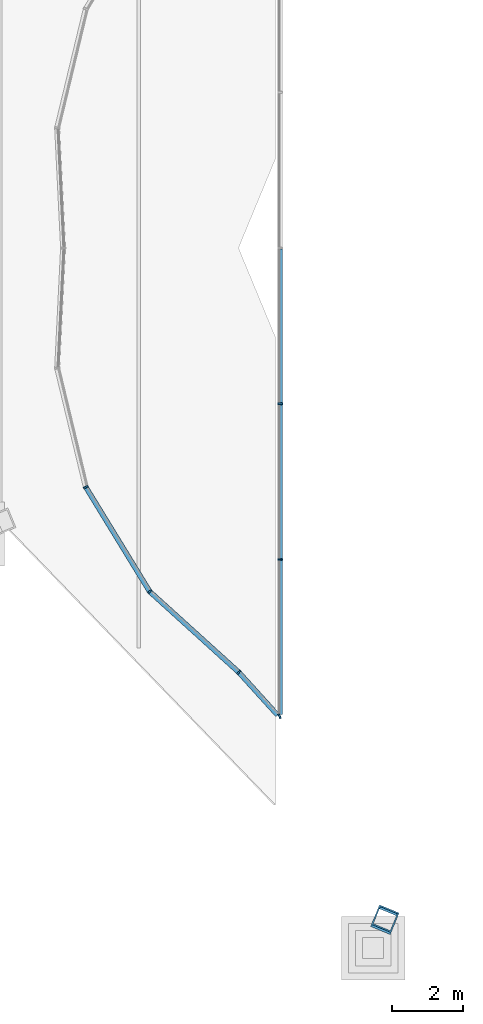
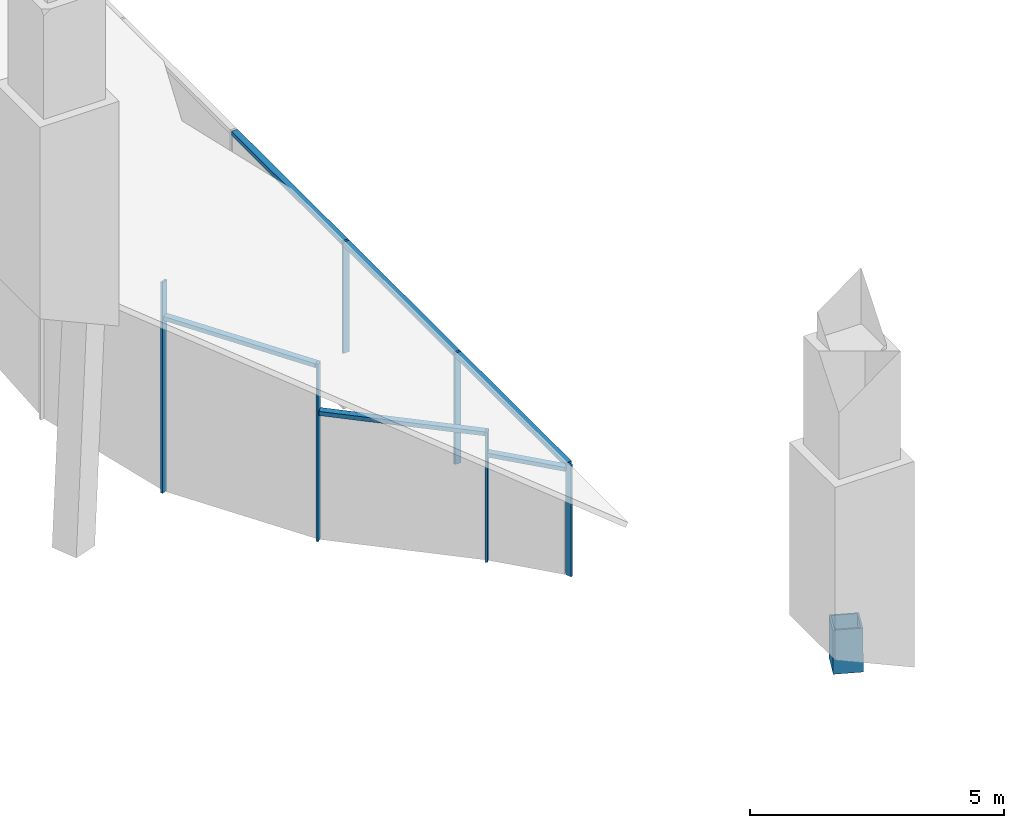
# One storey, part 5 of 8: 13 members, 3 elements without a shape of their own.
"""IFC4 building model written with IfcOpenShell, lengths in metres."""

from ifc_helpers import new_model, si_unit, direction, frame, origin, origin_2d, place, context, subcontext, project, spatial, rectangle, hollow_rectangle, extrude, material, material_profile, profile_set, type_object, element, aggregate, save


model = new_model("IFC4")

# Units and contexts
model_context = context("Model", 3, precision=1e-05, world=origin(), true_north=direction((0.0, 1.0)))
body_context = subcontext(model_context, "Body", "Model", "MODEL_VIEW")
ifc_project = project(units=[si_unit("LENGTHUNIT", "METRE"), si_unit("AREAUNIT", "SQUARE_METRE"), si_unit("VOLUMEUNIT", "CUBIC_METRE"), si_unit("PLANEANGLEUNIT", "RADIAN"), si_unit("MASSUNIT", "GRAM", prefix="KILO")], contexts=[model_context])

# Site, building, storey
site_placement = place(None, origin())
site = spatial("IfcSite", under=ifc_project, at=site_placement, CompositionType="ELEMENT")
building_placement = place(site_placement, origin())
building = spatial("IfcBuilding", under=site, at=building_placement, Name="Ogive Gate Towers", CompositionType="ELEMENT")
storey_placement = place(building_placement, frame((0.0, 0.0, 314.0)))
storey = spatial("IfcBuildingStorey", under=building, at=storey_placement, Name="L74", CompositionType="ELEMENT", Elevation=314.0)

# Curtain wall, members
ifc_material_1 = material(Name="Pale metal aluminium", Category="aluminium")
curtain_wall_type = type_object("IfcCurtainWallType", Name="Crown lean wall", PredefinedType="NOTDEFINED", material=ifc_material_1)
curtain_wall_1_placement = place(storey_placement, origin())
curtain_wall_1 = element("IfcCurtainWall", 1, at=curtain_wall_1_placement, inside=storey, type_object=curtain_wall_type, Name="CW5 T2 ECW03", PredefinedType="NOTDEFINED")
ifc_material_profile_1 = material_profile(ifc_material_1, rectangle(XDim=0.139892578125, YDim=0.050048828125, at=origin_2d()), Name="50 x 140 aluminium box")
ifc_profile_set_1 = profile_set([ifc_material_profile_1], Name="Pale metal aluminium")
member_type_1 = type_object("IfcMemberType", Name="Crown lean wall mullion 50 x 140", PredefinedType="MULLION", material=ifc_profile_set_1)
member_1_placement = place(storey_placement, frame((24.008544921875, -11.99365234375, -0.300048828125), z_axis=(0.0, 0.0, 1.0), x_axis=(0.671345548397, 0.741144489724, 0.0)))
member_1 = element("IfcMember", 2, at=member_1_placement, type_object=member_type_1, Name="CW5 mullion", PredefinedType="MULLION", context=body_context, shape_type="SweptSolid", body=[
    extrude(rectangle(XDim=0.139892578125, YDim=0.050048828125, at=origin_2d()), origin(), (0.0, 0.0, 1.0), 3.1357421875),
])
member_2_placement = place(storey_placement, frame((21.48974609375, -9.711669921875, -0.300048828125), z_axis=(0.0, 0.0, 1.0), x_axis=(0.770034644494, 0.638002073884, 0.0)))
member_2 = element("IfcMember", 3, at=member_2_placement, type_object=member_type_1, Name="CW5 mullion", PredefinedType="MULLION", context=body_context, shape_type="SweptSolid", body=[
    extrude(rectangle(XDim=0.139892578125, YDim=0.050048828125, at=origin_2d()), origin(), (0.0, 0.0, 1.0), 4.26123046875),
])
member_3_placement = place(storey_placement, frame((19.68310546875, -6.7587890625, -0.300048828125), z_axis=(0.0, 0.0, 1.0), x_axis=(0.923879532511, 0.382683432365, 0.0)))
member_3 = element("IfcMember", 4, at=member_3_placement, type_object=member_type_1, Name="CW5 mullion", PredefinedType="MULLION", context=body_context, shape_type="SweptSolid", body=[
    extrude(rectangle(XDim=0.139892578125, YDim=0.050048828125, at=origin_2d()), origin(), (0.0, 0.0, 1.0), 5.067138671875),
])

curtain_wall_2_placement = place(storey_placement, origin())
curtain_wall_2 = element("IfcCurtainWall", 5, at=curtain_wall_2_placement, inside=storey, type_object=curtain_wall_type, Name="CW5 T2 ECW03b", PredefinedType="NOTDEFINED")
member_4_placement = place(storey_placement, frame((25.177001953125, -4.402099609375, -0.300048828125), z_axis=(0.0, 0.0, 1.0), x_axis=(-1.0, 0.0, 0.0)))
member_4 = element("IfcMember", 6, at=member_4_placement, type_object=member_type_1, Name="CW5 mullion", PredefinedType="MULLION", context=body_context, shape_type="SweptSolid", body=[
    extrude(rectangle(XDim=0.139892578125, YDim=0.050048828125, at=origin_2d()), origin(), (0.0, 0.0, 1.0), 2.679931640625),
])
member_5_placement = place(storey_placement, frame((25.177001953125, -8.80419921875, -0.300048828125), z_axis=(0.0, 0.0, 1.0), x_axis=(-1.0, 0.0, 0.0)))
member_5 = element("IfcMember", 7, at=member_5_placement, type_object=member_type_1, Name="CW5 mullion", PredefinedType="MULLION", context=body_context, shape_type="SweptSolid", body=[
    extrude(rectangle(XDim=0.139892578125, YDim=0.050048828125, at=origin_2d()), origin(), (0.0, 0.0, 1.0), 2.679931640625),
])

# Curtain wall, member
curtain_wall_3_placement = place(storey_placement, origin())
curtain_wall_3 = element("IfcCurtainWall", 8, at=curtain_wall_3_placement, inside=storey, type_object=curtain_wall_type, Name="CW5 T2 ECW04", PredefinedType="NOTDEFINED")
member_6_placement = place(storey_placement, frame((25.157958984375, -13.234130859375, -0.300048828125), z_axis=(0.0, 0.0, 1.0), x_axis=(-0.359785118413, 0.933035191495, 0.0)))
member_6 = element("IfcMember", 9, at=member_6_placement, type_object=member_type_1, Name="CW5 mullion", PredefinedType="MULLION", context=body_context, shape_type="SweptSolid", body=[
    extrude(rectangle(XDim=0.139892578125, YDim=0.050048828125, at=origin_2d()), origin(), (0.0, 0.0, 1.0), 2.679931640625),
])

# Member
ifc_material_profile_2 = material_profile(ifc_material_1, rectangle(XDim=0.139892578125, YDim=0.10009765625, at=origin_2d()), Name="100 x 140 aluminium box")
ifc_profile_set_2 = profile_set([ifc_material_profile_2], Name="Pale metal aluminium")
member_type_2 = type_object("IfcMemberType", Name="Crown lean wall transom 100 x 140", PredefinedType="USERDEFINED", material=ifc_profile_set_2)
member_7_placement = place(storey_placement, frame((23.989990234375, -11.976806640625, 2.78564453125), z_axis=(-0.741137897422, 0.67135282602, 0.0), x_axis=(-0.67135282602, -0.741137897422, 0.0)))
member_7 = element("IfcMember", 10, at=member_7_placement, type_object=member_type_2, Name="CW5 transom", ObjectType="TRANSOM", PredefinedType="USERDEFINED", context=body_context, shape_type="SweptSolid", body=[
    extrude(rectangle(XDim=0.139892578125, YDim=0.10009765625, at=origin_2d()), origin(), (0.0, 0.0, 1.0), 3.344482421875),
])

member_8_placement = place(storey_placement, frame((21.47412109375, -9.686767578125, 3.9111328125), z_axis=(-0.521841760864, 0.853042306464, 0.0), x_axis=(-0.853042306464, -0.521841760864, 0.0)))
member_8 = element("IfcMember", 11, at=member_8_placement, type_object=member_type_2, Name="CW5 transom", ObjectType="TRANSOM", PredefinedType="USERDEFINED", context=body_context, shape_type="SweptSolid", body=[
    extrude(rectangle(XDim=0.139892578125, YDim=0.10009765625, at=origin_2d()), origin(), (0.0, 0.0, 1.0), 3.402587890625),
])

aggregate(curtain_wall_1, [member_1, member_2, member_7, member_3, member_8])

member_9_placement = place(storey_placement, frame((25.177001953125, -0.02490234375, 2.330078125), z_axis=(0.0, -1.0, 0.0), x_axis=(1.0, 0.0, 0.0)))
member_9 = element("IfcMember", 12, at=member_9_placement, type_object=member_type_2, Name="CW5 transom", ObjectType="TRANSOM", PredefinedType="USERDEFINED", context=body_context, shape_type="SweptSolid", body=[
    extrude(rectangle(XDim=0.139892578125, YDim=0.10009765625, at=origin_2d()), origin(), (0.0, 0.0, 1.0), 4.35205078125),
])

member_10_placement = place(storey_placement, frame((25.177001953125, -4.427001953125, 2.330078125), z_axis=(0.0, -1.0, 0.0), x_axis=(1.0, 0.0, 0.0)))
member_10 = element("IfcMember", 13, at=member_10_placement, type_object=member_type_2, Name="CW5 transom", ObjectType="TRANSOM", PredefinedType="USERDEFINED", context=body_context, shape_type="SweptSolid", body=[
    extrude(rectangle(XDim=0.139892578125, YDim=0.10009765625, at=origin_2d()), origin(), (0.0, 0.0, 1.0), 4.35205078125),
])

aggregate(curtain_wall_2, [member_4, member_9, member_5, member_10])

member_11_placement = place(storey_placement, frame((25.177001953125, -8.8291015625, 2.330078125), z_axis=(0.0, -1.0, 0.0), x_axis=(1.0, 0.0, 0.0)))
member_11 = element("IfcMember", 14, at=member_11_placement, type_object=member_type_2, Name="CW5 transom", ObjectType="TRANSOM", PredefinedType="USERDEFINED", context=body_context, shape_type="SweptSolid", body=[
    extrude(rectangle(XDim=0.139892578125, YDim=0.10009765625, at=origin_2d()), origin(), (0.0, 0.0, 1.0), 4.35205078125),
])

member_12_placement = place(storey_placement, frame((25.108154296875, -13.207763671875, 2.28515625), z_axis=(-0.671348330899, 0.74114196926, 0.0), x_axis=(-0.74114196926, -0.671348330899, 0.0)))
member_12 = element("IfcMember", 15, at=member_12_placement, type_object=member_type_2, Name="CW5 transom", ObjectType="TRANSOM", PredefinedType="USERDEFINED", context=body_context, shape_type="SweptSolid", body=[
    extrude(rectangle(XDim=0.139892578125, YDim=0.10009765625, at=origin_2d()), origin(), (0.0, 0.0, 1.0), 1.6162109375),
])

aggregate(curtain_wall_3, [member_6, member_11, member_12])

ifc_material_2 = material(Name="Steel SM460", Category="steel")
ifc_material_profile_3 = material_profile(ifc_material_2, hollow_rectangle(XDim=0.60009765625, YDim=0.60009765625, WallThickness=0.0400390625, at=origin_2d()), Name="BX 600x600x40")
ifc_profile_set_3 = profile_set([ifc_material_profile_3], Name="Steel SM460")
member_type_3 = type_object("IfcMemberType", Name="Crown rib BX 600x600x40", PredefinedType="MEMBER", material=ifc_profile_set_3)
member_13_placement = place(storey_placement, frame((28.123779296875, -19.01513671875, 0.0), z_axis=(0.023335360016, 0.056534119627, 0.998127924813), x_axis=(-0.924351915048, 0.381541003232, 0.0)))
element("IfcMember", 16, at=member_13_placement, inside=storey, type_object=member_type_3, Name="T2/L74/STR004", PredefinedType="MEMBER", context=body_context, shape_type="SweptSolid", body=[
    extrude(hollow_rectangle(XDim=0.60009765625, YDim=0.60009765625, WallThickness=0.0400390625, at=origin_2d()), origin(), (0.0, 0.0, 1.0), 1.014892578125),
])

save(model, "model.ifc")
